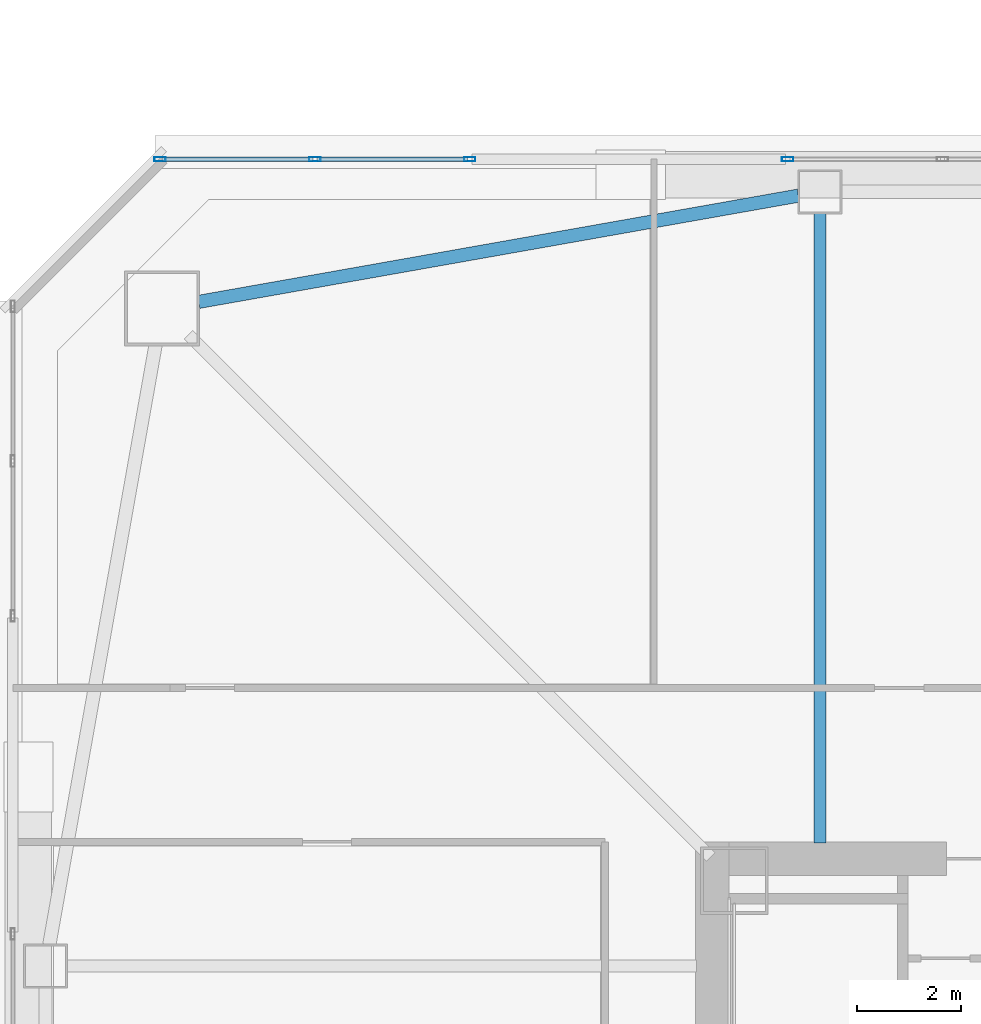
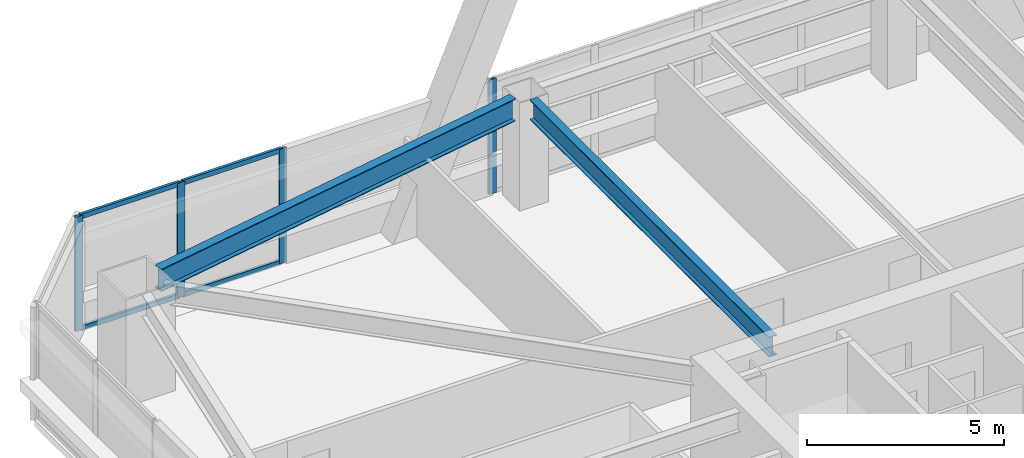
# One storey, part 16 of 54: 8 members, 2 beams, 2 elements without a shape of their own.
"""IFC4 building model written with IfcOpenShell, lengths in metres."""

from ifc_helpers import new_model, si_unit, direction, frame, origin, origin_2d, place, context, subcontext, project, spatial, hollow_rectangle, i_section, extrude, material, material_profile, profile_set, type_object, element, aggregate, save


model = new_model("IFC4")

# Units and contexts
model_context = context("Model", 3, precision=1e-05, world=origin(), true_north=direction((0.0, 1.0)))
body_context = subcontext(model_context, "Body", "Model", "MODEL_VIEW")
ifc_project = project(units=[si_unit("LENGTHUNIT", "METRE"), si_unit("AREAUNIT", "SQUARE_METRE"), si_unit("VOLUMEUNIT", "CUBIC_METRE"), si_unit("PLANEANGLEUNIT", "RADIAN"), si_unit("MASSUNIT", "GRAM", prefix="KILO")], contexts=[model_context])

# Site, building, storey
site_placement = place(None, origin())
site = spatial("IfcSite", under=ifc_project, at=site_placement, CompositionType="ELEMENT")
building_placement = place(site_placement, origin())
building = spatial("IfcBuilding", under=site, at=building_placement, Name="Tashvorn Skyway Center", CompositionType="ELEMENT")
storey_placement = place(building_placement, frame((0.0, 0.0, 88.5)))
storey = spatial("IfcBuildingStorey", under=building, at=storey_placement, Name="L23", CompositionType="ELEMENT", Elevation=88.5)

# Beams
ifc_material_1 = material(Name="Steel ASTM A992 Grade 50", Category="steel")
ifc_material_profile_1 = material_profile(ifc_material_1, i_section(OverallWidth=0.22998046875, OverallDepth=0.616943359375, WebThickness=0.01318359375, FlangeThickness=0.022216796875, at=origin_2d()), Name="W24X94")
ifc_profile_set_1 = profile_set([ifc_material_profile_1], Name="Steel ASTM A992 Grade 50")
beam_type_1 = type_object("IfcBeamType", Name="BM-BEAM-W24X94", PredefinedType="BEAM", material=ifc_profile_set_1)
beam_1_placement = place(storey_placement, frame((36.60009765625, 51.929931640625, 3.04150390625), z_axis=(0.0, -1.0, 0.0), x_axis=(1.0, 0.0, 0.0)))
element("IfcBeam", 1, at=beam_1_placement, inside=storey, type_object=beam_type_1, Name="Tower 1 L23 Primary Floor Girder FC-N2", PredefinedType="BEAM", context=body_context, shape_type="SweptSolid", body=[
    extrude(i_section(OverallWidth=0.22998046875, OverallDepth=0.616943359375, WebThickness=0.01318359375, FlangeThickness=0.022216796875, at=origin_2d()), origin(), (0.0, 0.0, 1.0), 12.14990234375),
])
ifc_material_profile_2 = material_profile(ifc_material_1, i_section(OverallWidth=0.256103515625, OverallDepth=0.693115234375, WebThickness=0.014404296875, FlangeThickness=0.023681640625, at=origin_2d()), Name="W27X114")
ifc_profile_set_2 = profile_set([ifc_material_profile_2], Name="Steel ASTM A992 Grade 50")
beam_type_2 = type_object("IfcBeamType", Name="BM-SPANDREL-W27X114", PredefinedType="SPANDREL", material=ifc_profile_set_2)
beam_2_placement = place(storey_placement, frame((36.1865234375, 52.276611328125, 3.00341796875), z_axis=(-0.98466816531, -0.174437966698, 0.0), x_axis=(0.174437966698, -0.98466816531, 0.0)))
element("IfcBeam", 2, at=beam_2_placement, inside=storey, type_object=beam_type_2, Name="Tower 1 L23 Spandrel Beam 09", PredefinedType="SPANDREL", context=body_context, shape_type="SweptSolid", body=[
    extrude(i_section(OverallWidth=0.256103515625, OverallDepth=0.693115234375, WebThickness=0.014404296875, FlangeThickness=0.023681640625, at=origin_2d()), origin(), (0.0, 0.0, 1.0), 11.7578125),
])

# Curtain wall, members
ifc_material_2 = material(Name="Thermally broken bronze-anodized aluminium 6063-T6", Category="aluminium")
curtain_wall_type = type_object("IfcCurtainWallType", Name="CW-CW-Z2", PredefinedType="NOTDEFINED", material=ifc_material_2)
curtain_wall_1_placement = place(storey_placement, origin())
curtain_wall_1 = element("IfcCurtainWall", 3, at=curtain_wall_1_placement, inside=storey, type_object=curtain_wall_type, Name="Tower 1 L23 North Unitised Curtain Wall Glazing Group 1", PredefinedType="NOTDEFINED")
ifc_material_profile_3 = material_profile(ifc_material_2, hollow_rectangle(XDim=0.080078125, YDim=0.219970703125, WallThickness=0.0048828125, at=origin_2d()), Name="ALU-MULL-80x220")
ifc_profile_set_3 = profile_set([ifc_material_profile_3], Name="Thermally broken bronze-anodized aluminium 6063-T6")
member_type_1 = type_object("IfcMemberType", Name="CWM-CW-Z2", PredefinedType="MULLION", material=ifc_profile_set_3)
member_1_placement = place(storey_placement, frame((23.860107421875, 52.97998046875, 0.0), z_axis=(0.0, 0.0, 1.0), x_axis=(0.0, 1.0, 0.0)))
member_1 = element("IfcMember", 4, at=member_1_placement, type_object=member_type_1, Name="CW-Z2 mullion 1", PredefinedType="MULLION", context=body_context, shape_type="SweptSolid", body=[
    extrude(hollow_rectangle(XDim=0.080078125, YDim=0.219970703125, WallThickness=0.0048828125, at=origin_2d()), origin(), (0.0, 0.0, 1.0), 3.550048828125),
])
member_2_placement = place(storey_placement, frame((26.85009765625, 52.97998046875, 0.0), z_axis=(0.0, 0.0, 1.0), x_axis=(0.0, 1.0, 0.0)))
member_2 = element("IfcMember", 5, at=member_2_placement, type_object=member_type_1, Name="CW-Z2 mullion 2", PredefinedType="MULLION", context=body_context, shape_type="SweptSolid", body=[
    extrude(hollow_rectangle(XDim=0.080078125, YDim=0.219970703125, WallThickness=0.0048828125, at=origin_2d()), origin(), (0.0, 0.0, 1.0), 3.550048828125),
])
member_3_placement = place(storey_placement, frame((29.840087890625, 52.97998046875, 0.0), z_axis=(0.0, 0.0, 1.0), x_axis=(0.0, 1.0, 0.0)))
member_3 = element("IfcMember", 6, at=member_3_placement, type_object=member_type_1, Name="CW-Z2 mullion 3", PredefinedType="MULLION", context=body_context, shape_type="SweptSolid", body=[
    extrude(hollow_rectangle(XDim=0.080078125, YDim=0.219970703125, WallThickness=0.0048828125, at=origin_2d()), origin(), (0.0, 0.0, 1.0), 3.550048828125),
])

# Curtain wall, member
curtain_wall_2_placement = place(storey_placement, origin())
curtain_wall_2 = element("IfcCurtainWall", 7, at=curtain_wall_2_placement, inside=storey, type_object=curtain_wall_type, Name="Tower 1 L23 North Unitised Curtain Wall Glazing Group 2", PredefinedType="NOTDEFINED")
member_4_placement = place(storey_placement, frame((35.97998046875, 52.97998046875, 0.0), z_axis=(0.0, 0.0, 1.0), x_axis=(0.0, 1.0, 0.0)))
member_4 = element("IfcMember", 8, at=member_4_placement, type_object=member_type_1, Name="CW-Z2 mullion 1", PredefinedType="MULLION", context=body_context, shape_type="SweptSolid", body=[
    extrude(hollow_rectangle(XDim=0.080078125, YDim=0.219970703125, WallThickness=0.0048828125, at=origin_2d()), origin(), (0.0, 0.0, 1.0), 3.550048828125),
])
aggregate(curtain_wall_2, [member_4])

# Member
ifc_material_profile_4 = material_profile(ifc_material_2, hollow_rectangle(XDim=0.080078125, YDim=0.14990234375, WallThickness=0.00439453125, at=origin_2d()), Name="ALU-TRAN-80x150")
ifc_profile_set_4 = profile_set([ifc_material_profile_4], Name="Thermally broken bronze-anodized aluminium 6063-T6")
member_type_2 = type_object("IfcMemberType", Name="CWT-CW-Z2", PredefinedType="USERDEFINED", material=ifc_profile_set_4)
member_5_placement = place(storey_placement, frame((23.89990234375, 52.97998046875, 0.0400390625), z_axis=(1.0, 0.0, 0.0), x_axis=(0.0, 1.0, 0.0)))
member_5 = element("IfcMember", 9, at=member_5_placement, type_object=member_type_2, Name="CW-Z2 transom 1.1", ObjectType="TRANSOM", PredefinedType="USERDEFINED", context=body_context, shape_type="SweptSolid", body=[
    extrude(hollow_rectangle(XDim=0.080078125, YDim=0.14990234375, WallThickness=0.00439453125, at=origin_2d()), origin(), (0.0, 0.0, 1.0), 2.91015625),
])

member_6_placement = place(storey_placement, frame((23.89990234375, 52.97998046875, 3.510009765625), z_axis=(1.0, 0.0, 0.0), x_axis=(0.0, 1.0, 0.0)))
member_6 = element("IfcMember", 10, at=member_6_placement, type_object=member_type_2, Name="CW-Z2 transom 1.2", ObjectType="TRANSOM", PredefinedType="USERDEFINED", context=body_context, shape_type="SweptSolid", body=[
    extrude(hollow_rectangle(XDim=0.080078125, YDim=0.14990234375, WallThickness=0.00439453125, at=origin_2d()), origin(), (0.0, 0.0, 1.0), 2.91015625),
])

member_7_placement = place(storey_placement, frame((26.889892578125, 52.97998046875, 0.0400390625), z_axis=(1.0, 0.0, 0.0), x_axis=(0.0, 1.0, 0.0)))
member_7 = element("IfcMember", 11, at=member_7_placement, type_object=member_type_2, Name="CW-Z2 transom 2.1", ObjectType="TRANSOM", PredefinedType="USERDEFINED", context=body_context, shape_type="SweptSolid", body=[
    extrude(hollow_rectangle(XDim=0.080078125, YDim=0.14990234375, WallThickness=0.00439453125, at=origin_2d()), origin(), (0.0, 0.0, 1.0), 2.91015625),
])

member_8_placement = place(storey_placement, frame((26.889892578125, 52.97998046875, 3.510009765625), z_axis=(1.0, 0.0, 0.0), x_axis=(0.0, 1.0, 0.0)))
member_8 = element("IfcMember", 12, at=member_8_placement, type_object=member_type_2, Name="CW-Z2 transom 2.2", ObjectType="TRANSOM", PredefinedType="USERDEFINED", context=body_context, shape_type="SweptSolid", body=[
    extrude(hollow_rectangle(XDim=0.080078125, YDim=0.14990234375, WallThickness=0.00439453125, at=origin_2d()), origin(), (0.0, 0.0, 1.0), 2.91015625),
])

aggregate(curtain_wall_1, [member_1, member_2, member_3, member_5, member_6, member_7, member_8])

save(model, "model.ifc")
